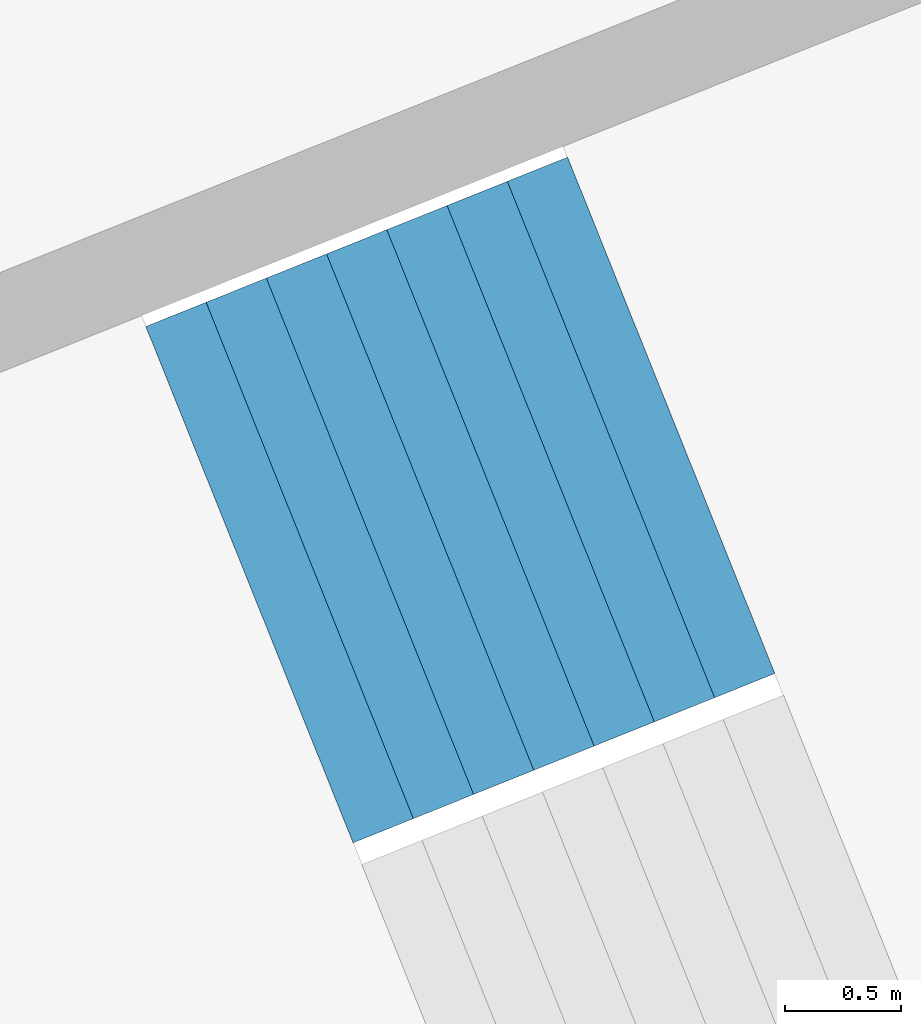
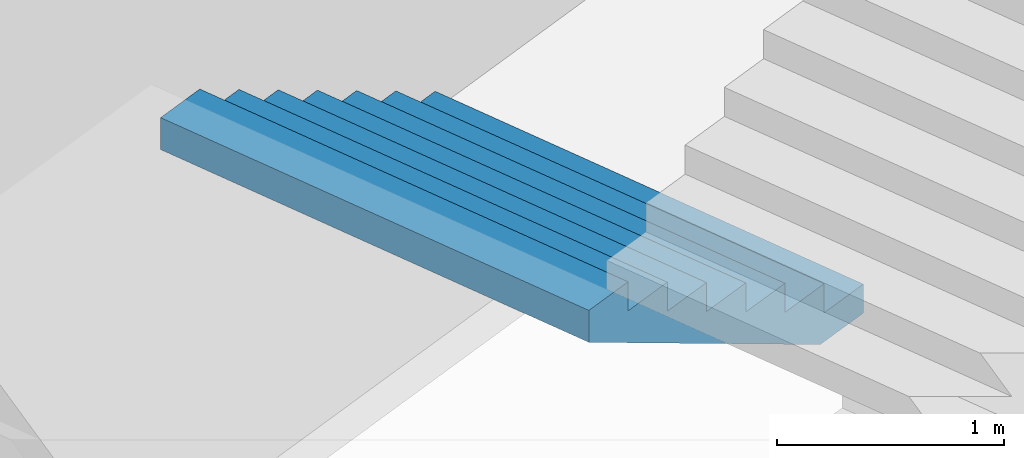
# One storey, part 67 of 73: 1 stair flight, 1 element without a shape of its own.
"""IFC4 building model written with IfcOpenShell, lengths in metres."""

from ifc_helpers import new_model, si_unit, direction, frame, origin, place, context, subcontext, project, spatial, triangles, material, type_object, element, aggregate, save


model = new_model("IFC4")

# Units and contexts
model_context = context("Model", 3, precision=1e-05, world=origin(), true_north=direction((0.0, 1.0)))
body_context = subcontext(model_context, "Body", "Model", "MODEL_VIEW")
ifc_project = project(units=[si_unit("LENGTHUNIT", "METRE"), si_unit("AREAUNIT", "SQUARE_METRE"), si_unit("VOLUMEUNIT", "CUBIC_METRE"), si_unit("PLANEANGLEUNIT", "RADIAN"), si_unit("MASSUNIT", "GRAM", prefix="KILO")], contexts=[model_context])

# Site, building, storey
site_placement = place(None, origin())
site = spatial("IfcSite", under=ifc_project, at=site_placement, CompositionType="ELEMENT")
building_placement = place(site_placement, origin())
building = spatial("IfcBuilding", under=site, at=building_placement, Name="Lantaw Convention Tower", CompositionType="ELEMENT")
storey_placement = place(building_placement, frame((0.0, 0.0, 27.0)))
storey = spatial("IfcBuildingStorey", under=building, at=storey_placement, Name="L04", CompositionType="ELEMENT", Elevation=27.0)

# Stair, stair flight
ifc_material = material(Name="Concrete C35/45", Category="concrete")
stair_type = type_object("IfcStairType", Name="Exit stair 2400 riser 156.25 in 4 flights", PredefinedType="HALF_TURN_STAIR", material=ifc_material)
stair_placement = place(storey_placement, origin())
stair = element("IfcStair", 1, at=stair_placement, inside=storey, type_object=stair_type, Name="Podium exit stair P2 L04", PredefinedType="HALF_TURN_STAIR")
stair_flight_type = type_object("IfcStairFlightType", Name="Stair flight 2400 riser 156.25", PredefinedType="STRAIGHT", material=ifc_material)
stair_flight_placement = place(storey_placement, frame((37.618408203125, 16.448486328125, 1.25), z_axis=(0.0, 0.0, 1.0), x_axis=(-0.928015168305, -0.372542410198, 0.0)))
stair_flight = element("IfcStairFlight", 2, at=stair_flight_placement, type_object=stair_flight_type, Name="P2 flight 2", NumberOfRisers=8, NumberOfTreads=7, PredefinedType="STRAIGHT", RiserHeight=0.15625, TreadLength=0.28, context=body_context, shape_type="Tessellation", body=[
    triangles([(0.0, 1.199951171875, 0.0), (0.0, 1.199951171875, 0.15625), (0.28, 1.199951171875, 0.0), (0.28, 1.199951171875, 0.15625), (0.28, 1.199951171875, 0.3125), (0.3076200632058044, 1.199951171875, 0.0), (0.3076200632058044, 1.199951171875, 0.3125), (0.56, 1.199951171875, 0.14083701830033238), (0.56, 1.199951171875, 0.3125), (0.56, 1.199951171875, 0.46875), (0.8400000000000001, 1.199951171875, 0.29708701830033235), (0.8400000000000001, 1.199951171875, 0.46875), (0.8400000000000001, 1.199951171875, 0.625), (1.12, 1.199951171875, 0.45333701830033235), (1.12, 1.199951171875, 0.625), (1.12, 1.199951171875, 0.78125), (1.4000000000000001, 1.199951171875, 0.6095870183003324), (1.4000000000000001, 1.199951171875, 0.78125), (1.4000000000000001, 1.199951171875, 0.9375), (1.6800000000000002, 1.199951171875, 0.7658370183003324), (1.6800000000000002, 1.199951171875, 0.9375), (1.6800000000000002, 1.199951171875, 1.09375), (1.9600000000000002, 1.199951171875, 0.9220870183003324), (1.9600000000000002, 1.199951171875, 1.09375), (0.0, -1.199951171875, 0.0), (0.0, -1.199951171875, 0.15625), (0.28, -1.199951171875, 0.0), (0.28, -1.199951171875, 0.15625), (0.28, -1.199951171875, 0.3125), (0.3076200632058044, -1.199951171875, 0.0), (0.3076200632058044, -1.199951171875, 0.3125), (0.56, -1.199951171875, 0.14083701830033238), (0.56, -1.199951171875, 0.3125), (0.56, -1.199951171875, 0.46875), (0.8400000000000001, -1.199951171875, 0.29708701830033235), (0.8400000000000001, -1.199951171875, 0.46875), (0.8400000000000001, -1.199951171875, 0.625), (1.12, -1.199951171875, 0.45333701830033235), (1.12, -1.199951171875, 0.625), (1.12, -1.199951171875, 0.78125), (1.4000000000000001, -1.199951171875, 0.6095870183003324), (1.4000000000000001, -1.199951171875, 0.78125), (1.4000000000000001, -1.199951171875, 0.9375), (1.6800000000000002, -1.199951171875, 0.7658370183003324), (1.6800000000000002, -1.199951171875, 0.9375), (1.6800000000000002, -1.199951171875, 1.09375), (1.9600000000000002, -1.199951171875, 0.9220870183003324), (1.9600000000000002, -1.199951171875, 1.09375), (0.0, 0.239990234375, 0.15625), (0.0, 0.239990234375, 0.0), (0.0, 0.1919921875, 0.15625), (0.0, 0.1919921875, 0.0), (0.0, 0.143994140625, 0.15625), (0.0, 0.143994140625, 0.0), (0.0, 0.09599609375, 0.15625), (0.0, 0.09599609375, 0.0), (0.0, 0.047998046875, 0.15625), (0.0, 0.047998046875, 0.0), (0.0, 0.0, 0.15625), (0.0, 0.0, 0.0), (0.0, -0.047998046875, 0.15625), (0.0, -0.047998046875, 0.0), (0.0, -0.09599609375, 0.15625), (0.0, -0.09599609375, 0.0), (0.0, -0.143994140625, 0.15625), (0.0, -0.143994140625, 0.0), (0.0, -0.1919921875, 0.15625), (0.0, -0.1919921875, 0.0), (0.0, -0.239990234375, 0.15625), (0.0, -0.239990234375, 0.0), (0.28, 0.239990234375, 0.3125), (0.28, 0.239990234375, 0.15625), (0.28, 0.1919921875, 0.3125), (0.28, 0.1919921875, 0.15625), (0.28, 0.143994140625, 0.3125), (0.28, 0.143994140625, 0.15625), (0.28, 0.09599609375, 0.3125), (0.28, 0.09599609375, 0.15625), (0.28, 0.047998046875, 0.3125), (0.28, 0.047998046875, 0.15625), (0.28, 0.0, 0.3125), (0.28, 0.0, 0.15625), (0.28, -0.047998046875, 0.3125), (0.28, -0.047998046875, 0.15625), (0.28, -0.09599609375, 0.3125), (0.28, -0.09599609375, 0.15625), (0.28, -0.143994140625, 0.3125), (0.28, -0.143994140625, 0.15625), (0.28, -0.1919921875, 0.3125), (0.28, -0.1919921875, 0.15625), (0.28, -0.239990234375, 0.3125), (0.28, -0.239990234375, 0.15625), (0.56, 0.239990234375, 0.46875), (0.56, 0.239990234375, 0.3125), (0.56, 0.1919921875, 0.46875), (0.56, 0.1919921875, 0.3125), (0.56, 0.143994140625, 0.46875), (0.56, 0.143994140625, 0.3125), (0.56, 0.09599609375, 0.46875), (0.56, 0.09599609375, 0.3125), (0.56, 0.047998046875, 0.46875), (0.56, 0.047998046875, 0.3125), (0.56, 0.0, 0.46875), (0.56, 0.0, 0.3125), (0.56, -0.047998046875, 0.46875), (0.56, -0.047998046875, 0.3125), (0.56, -0.09599609375, 0.46875), (0.56, -0.09599609375, 0.3125), (0.56, -0.143994140625, 0.46875), (0.56, -0.143994140625, 0.3125), (0.56, -0.1919921875, 0.46875), (0.56, -0.1919921875, 0.3125), (0.56, -0.239990234375, 0.46875), (0.56, -0.239990234375, 0.3125), (0.8400000000000001, 0.239990234375, 0.625), (0.8400000000000001, 0.239990234375, 0.46875), (0.8400000000000001, 0.1919921875, 0.625), (0.8400000000000001, 0.1919921875, 0.46875), (0.8400000000000001, 0.143994140625, 0.625), (0.8400000000000001, 0.143994140625, 0.46875), (0.8400000000000001, 0.09599609375, 0.625), (0.8400000000000001, 0.09599609375, 0.46875), (0.8400000000000001, 0.047998046875, 0.625), (0.8400000000000001, 0.047998046875, 0.46875), (0.8400000000000001, 0.0, 0.625), (0.8400000000000001, 0.0, 0.46875), (0.8400000000000001, -0.047998046875, 0.625), (0.8400000000000001, -0.047998046875, 0.46875), (0.8400000000000001, -0.09599609375, 0.625), (0.8400000000000001, -0.09599609375, 0.46875), (0.8400000000000001, -0.143994140625, 0.625), (0.8400000000000001, -0.143994140625, 0.46875), (0.8400000000000001, -0.1919921875, 0.625), (0.8400000000000001, -0.1919921875, 0.46875), (0.8400000000000001, -0.239990234375, 0.625), (0.8400000000000001, -0.239990234375, 0.46875), (1.12, 0.239990234375, 0.78125), (1.12, 0.239990234375, 0.625), (1.12, 0.1919921875, 0.78125), (1.12, 0.1919921875, 0.625), (1.12, 0.143994140625, 0.78125), (1.12, 0.143994140625, 0.625), (1.12, 0.09599609375, 0.78125), (1.12, 0.09599609375, 0.625), (1.12, 0.047998046875, 0.78125), (1.12, 0.047998046875, 0.625), (1.12, 0.0, 0.78125), (1.12, 0.0, 0.625), (1.12, -0.047998046875, 0.78125), (1.12, -0.047998046875, 0.625), (1.12, -0.09599609375, 0.78125), (1.12, -0.09599609375, 0.625), (1.12, -0.143994140625, 0.78125), (1.12, -0.143994140625, 0.625), (1.12, -0.1919921875, 0.78125), (1.12, -0.1919921875, 0.625), (1.12, -0.239990234375, 0.78125), (1.12, -0.239990234375, 0.625), (1.4000000000000001, 0.239990234375, 0.9375), (1.4000000000000001, 0.239990234375, 0.78125), (1.4000000000000001, 0.1919921875, 0.9375), (1.4000000000000001, 0.1919921875, 0.78125), (1.4000000000000001, 0.143994140625, 0.9375), (1.4000000000000001, 0.143994140625, 0.78125), (1.4000000000000001, 0.09599609375, 0.9375), (1.4000000000000001, 0.09599609375, 0.78125), (1.4000000000000001, 0.047998046875, 0.9375), (1.4000000000000001, 0.047998046875, 0.78125), (1.4000000000000001, 0.0, 0.9375), (1.4000000000000001, 0.0, 0.78125), (1.4000000000000001, -0.047998046875, 0.9375), (1.4000000000000001, -0.047998046875, 0.78125), (1.4000000000000001, -0.09599609375, 0.9375), (1.4000000000000001, -0.09599609375, 0.78125), (1.4000000000000001, -0.143994140625, 0.9375), (1.4000000000000001, -0.143994140625, 0.78125), (1.4000000000000001, -0.1919921875, 0.9375), (1.4000000000000001, -0.1919921875, 0.78125), (1.4000000000000001, -0.239990234375, 0.9375), (1.4000000000000001, -0.239990234375, 0.78125), (1.6800000000000002, 0.239990234375, 1.09375), (1.6800000000000002, 0.239990234375, 0.9375), (1.6800000000000002, 0.1919921875, 1.09375), (1.6800000000000002, 0.1919921875, 0.9375), (1.6800000000000002, 0.143994140625, 1.09375), (1.6800000000000002, 0.143994140625, 0.9375), (1.6800000000000002, 0.09599609375, 1.09375), (1.6800000000000002, 0.09599609375, 0.9375), (1.6800000000000002, 0.047998046875, 1.09375), (1.6800000000000002, 0.047998046875, 0.9375), (1.6800000000000002, 0.0, 1.09375), (1.6800000000000002, 0.0, 0.9375), (1.6800000000000002, -0.047998046875, 1.09375), (1.6800000000000002, -0.047998046875, 0.9375), (1.6800000000000002, -0.09599609375, 1.09375), (1.6800000000000002, -0.09599609375, 0.9375), (1.6800000000000002, -0.143994140625, 1.09375), (1.6800000000000002, -0.143994140625, 0.9375), (1.6800000000000002, -0.1919921875, 1.09375), (1.6800000000000002, -0.1919921875, 0.9375), (1.6800000000000002, -0.239990234375, 1.09375), (1.6800000000000002, -0.239990234375, 0.9375), (0.3076200632058044, 0.239990234375, 0.3125), (0.3076200632058044, 0.1919921875, 0.3125), (0.3076200632058044, 0.143994140625, 0.3125), (0.3076200632058044, 0.09599609375, 0.3125), (0.3076200632058044, 0.047998046875, 0.3125), (0.3076200632058044, 0.0, 0.3125), (0.3076200632058044, -0.047998046875, 0.3125), (0.3076200632058044, -0.09599609375, 0.3125), (0.3076200632058044, -0.143994140625, 0.3125), (0.3076200632058044, -0.1919921875, 0.3125), (0.3076200632058044, -0.239990234375, 0.3125), (1.9600000000000002, 0.239990234375, 1.09375), (1.9600000000000002, 0.1919921875, 1.09375), (1.9600000000000002, 0.143994140625, 1.09375), (1.9600000000000002, 0.09599609375, 1.09375), (1.9600000000000002, 0.047998046875, 1.09375), (1.9600000000000002, 0.0, 1.09375), (1.9600000000000002, -0.047998046875, 1.09375), (1.9600000000000002, -0.09599609375, 1.09375), (1.9600000000000002, -0.143994140625, 1.09375), (1.9600000000000002, -0.1919921875, 1.09375), (1.9600000000000002, -0.239990234375, 1.09375), (1.9600000000000002, 0.239990234375, 0.9220870183003324), (1.9600000000000002, 0.1919921875, 0.9220870183003324), (1.9600000000000002, 0.143994140625, 0.9220870183003324), (1.9600000000000002, 0.09599609375, 0.9220870183003324), (1.9600000000000002, 0.047998046875, 0.9220870183003324), (1.9600000000000002, 0.0, 0.9220870183003324), (1.9600000000000002, -0.047998046875, 0.9220870183003324), (1.9600000000000002, -0.09599609375, 0.9220870183003324), (1.9600000000000002, -0.143994140625, 0.9220870183003324), (1.9600000000000002, -0.1919921875, 0.9220870183003324), (1.9600000000000002, -0.239990234375, 0.9220870183003324), (1.6800000000000002, 0.239990234375, 0.7658370183003324), (1.6800000000000002, 0.1919921875, 0.7658370183003324), (1.6800000000000002, 0.143994140625, 0.7658370183003324), (1.6800000000000002, 0.09599609375, 0.7658370183003324), (1.6800000000000002, 0.047998046875, 0.7658370183003324), (1.6800000000000002, 0.0, 0.7658370183003324), (1.6800000000000002, -0.047998046875, 0.7658370183003324), (1.6800000000000002, -0.09599609375, 0.7658370183003324), (1.6800000000000002, -0.143994140625, 0.7658370183003324), (1.6800000000000002, -0.1919921875, 0.7658370183003324), (1.6800000000000002, -0.239990234375, 0.7658370183003324), (1.4000000000000001, 0.239990234375, 0.6095870183003324), (1.4000000000000001, 0.1919921875, 0.6095870183003324), (1.4000000000000001, 0.143994140625, 0.6095870183003324), (1.4000000000000001, 0.09599609375, 0.6095870183003324), (1.4000000000000001, 0.047998046875, 0.6095870183003324), (1.4000000000000001, 0.0, 0.6095870183003324), (1.4000000000000001, -0.047998046875, 0.6095870183003324), (1.4000000000000001, -0.09599609375, 0.6095870183003324), (1.4000000000000001, -0.143994140625, 0.6095870183003324), (1.4000000000000001, -0.1919921875, 0.6095870183003324), (1.4000000000000001, -0.239990234375, 0.6095870183003324), (1.12, 0.239990234375, 0.45333701830033235), (1.12, 0.1919921875, 0.45333701830033235), (1.12, 0.143994140625, 0.45333701830033235), (1.12, 0.09599609375, 0.45333701830033235), (1.12, 0.047998046875, 0.45333701830033235), (1.12, 0.0, 0.45333701830033235), (1.12, -0.047998046875, 0.45333701830033235), (1.12, -0.09599609375, 0.45333701830033235), (1.12, -0.143994140625, 0.45333701830033235), (1.12, -0.1919921875, 0.45333701830033235), (1.12, -0.239990234375, 0.45333701830033235), (0.8400000000000001, 0.239990234375, 0.29708701830033235), (0.8400000000000001, 0.1919921875, 0.29708701830033235), (0.8400000000000001, 0.143994140625, 0.29708701830033235), (0.8400000000000001, 0.09599609375, 0.29708701830033235), (0.8400000000000001, 0.047998046875, 0.29708701830033235), (0.8400000000000001, 0.0, 0.29708701830033235), (0.8400000000000001, -0.047998046875, 0.29708701830033235), (0.8400000000000001, -0.09599609375, 0.29708701830033235), (0.8400000000000001, -0.143994140625, 0.29708701830033235), (0.8400000000000001, -0.1919921875, 0.29708701830033235), (0.8400000000000001, -0.239990234375, 0.29708701830033235), (0.56, 0.239990234375, 0.14083701830033238), (0.56, 0.1919921875, 0.14083701830033238), (0.56, 0.143994140625, 0.14083701830033238), (0.56, 0.09599609375, 0.14083701830033238), (0.56, 0.047998046875, 0.14083701830033238), (0.56, 0.0, 0.14083701830033238), (0.56, -0.047998046875, 0.14083701830033238), (0.56, -0.09599609375, 0.14083701830033238), (0.56, -0.143994140625, 0.14083701830033238), (0.56, -0.1919921875, 0.14083701830033238), (0.56, -0.239990234375, 0.14083701830033238), (0.3076200632058044, 0.239990234375, 0.0), (0.3076200632058044, 0.1919921875, 0.0), (0.3076200632058044, 0.143994140625, 0.0), (0.3076200632058044, 0.09599609375, 0.0), (0.3076200632058044, 0.047998046875, 0.0), (0.3076200632058044, 0.0, 0.0), (0.3076200632058044, -0.047998046875, 0.0), (0.3076200632058044, -0.09599609375, 0.0), (0.3076200632058044, -0.143994140625, 0.0), (0.3076200632058044, -0.1919921875, 0.0), (0.3076200632058044, -0.239990234375, 0.0), (0.28, 0.239990234375, 0.0), (0.28, 0.1919921875, 0.0), (0.28, 0.143994140625, 0.0), (0.28, 0.09599609375, 0.0), (0.28, 0.047998046875, 0.0), (0.28, 0.0, 0.0), (0.28, -0.047998046875, 0.0), (0.28, -0.09599609375, 0.0), (0.28, -0.143994140625, 0.0), (0.28, -0.1919921875, 0.0), (0.28, -0.239990234375, 0.0)], [[1, 4, 3], [1, 2, 4], [3, 4, 6], [4, 7, 6], [4, 5, 7], [6, 9, 8], [6, 7, 9], [8, 9, 11], [9, 12, 11], [9, 10, 12], [11, 12, 14], [12, 15, 14], [12, 13, 15], [14, 15, 17], [15, 18, 17], [15, 16, 18], [17, 18, 20], [18, 21, 20], [18, 19, 21], [20, 21, 23], [21, 24, 23], [21, 22, 24], [25, 27, 28], [25, 28, 26], [27, 30, 28], [28, 30, 31], [28, 31, 29], [30, 32, 33], [30, 33, 31], [32, 35, 33], [33, 35, 36], [33, 36, 34], [35, 38, 36], [36, 38, 39], [36, 39, 37], [38, 41, 39], [39, 41, 42], [39, 42, 40], [41, 44, 42], [42, 44, 45], [42, 45, 43], [44, 47, 45], [45, 47, 48], [45, 48, 46], [1, 49, 2], [1, 50, 49], [50, 51, 49], [50, 52, 51], [52, 53, 51], [52, 54, 53], [54, 55, 53], [54, 56, 55], [56, 57, 55], [56, 58, 57], [58, 59, 57], [58, 60, 59], [60, 61, 59], [60, 62, 61], [62, 63, 61], [62, 64, 63], [64, 65, 63], [64, 66, 65], [66, 67, 65], [66, 68, 67], [68, 69, 67], [68, 70, 69], [70, 26, 69], [70, 25, 26], [4, 71, 5], [4, 72, 71], [72, 73, 71], [72, 74, 73], [74, 75, 73], [74, 76, 75], [76, 77, 75], [76, 78, 77], [78, 79, 77], [78, 80, 79], [80, 81, 79], [80, 82, 81], [82, 83, 81], [82, 84, 83], [84, 85, 83], [84, 86, 85], [86, 87, 85], [86, 88, 87], [88, 89, 87], [88, 90, 89], [90, 91, 89], [90, 92, 91], [92, 29, 91], [92, 28, 29], [9, 93, 10], [9, 94, 93], [94, 95, 93], [94, 96, 95], [96, 97, 95], [96, 98, 97], [98, 99, 97], [98, 100, 99], [100, 101, 99], [100, 102, 101], [102, 103, 101], [102, 104, 103], [104, 105, 103], [104, 106, 105], [106, 107, 105], [106, 108, 107], [108, 109, 107], [108, 110, 109], [110, 111, 109], [110, 112, 111], [112, 113, 111], [112, 114, 113], [114, 34, 113], [114, 33, 34], [12, 115, 13], [12, 116, 115], [116, 117, 115], [116, 118, 117], [118, 119, 117], [118, 120, 119], [120, 121, 119], [120, 122, 121], [122, 123, 121], [122, 124, 123], [124, 125, 123], [124, 126, 125], [126, 127, 125], [126, 128, 127], [128, 129, 127], [128, 130, 129], [130, 131, 129], [130, 132, 131], [132, 133, 131], [132, 134, 133], [134, 135, 133], [134, 136, 135], [136, 37, 135], [136, 36, 37], [15, 137, 16], [15, 138, 137], [138, 139, 137], [138, 140, 139], [140, 141, 139], [140, 142, 141], [142, 143, 141], [142, 144, 143], [144, 145, 143], [144, 146, 145], [146, 147, 145], [146, 148, 147], [148, 149, 147], [148, 150, 149], [150, 151, 149], [150, 152, 151], [152, 153, 151], [152, 154, 153], [154, 155, 153], [154, 156, 155], [156, 157, 155], [156, 158, 157], [158, 40, 157], [158, 39, 40], [18, 159, 19], [18, 160, 159], [160, 161, 159], [160, 162, 161], [162, 163, 161], [162, 164, 163], [164, 165, 163], [164, 166, 165], [166, 167, 165], [166, 168, 167], [168, 169, 167], [168, 170, 169], [170, 171, 169], [170, 172, 171], [172, 173, 171], [172, 174, 173], [174, 175, 173], [174, 176, 175], [176, 177, 175], [176, 178, 177], [178, 179, 177], [178, 180, 179], [180, 43, 179], [180, 42, 43], [21, 181, 22], [21, 182, 181], [182, 183, 181], [182, 184, 183], [184, 185, 183], [184, 186, 185], [186, 187, 185], [186, 188, 187], [188, 189, 187], [188, 190, 189], [190, 191, 189], [190, 192, 191], [192, 193, 191], [192, 194, 193], [194, 195, 193], [194, 196, 195], [196, 197, 195], [196, 198, 197], [198, 199, 197], [198, 200, 199], [200, 201, 199], [200, 202, 201], [202, 46, 201], [202, 45, 46], [2, 72, 4], [2, 49, 72], [49, 74, 72], [49, 51, 74], [51, 76, 74], [51, 53, 76], [53, 78, 76], [53, 55, 78], [55, 80, 78], [55, 57, 80], [57, 82, 80], [57, 59, 82], [59, 84, 82], [59, 61, 84], [61, 86, 84], [61, 63, 86], [63, 88, 86], [63, 65, 88], [65, 90, 88], [65, 67, 90], [67, 92, 90], [67, 69, 92], [69, 28, 92], [69, 26, 28], [5, 203, 7], [5, 71, 203], [71, 204, 203], [71, 73, 204], [73, 205, 204], [73, 75, 205], [75, 206, 205], [75, 77, 206], [77, 207, 206], [77, 79, 207], [79, 208, 207], [79, 81, 208], [81, 209, 208], [81, 83, 209], [83, 210, 209], [83, 85, 210], [85, 211, 210], [85, 87, 211], [87, 212, 211], [87, 89, 212], [89, 213, 212], [89, 91, 213], [91, 31, 213], [91, 29, 31], [7, 94, 9], [7, 203, 94], [203, 96, 94], [203, 204, 96], [204, 98, 96], [204, 205, 98], [205, 100, 98], [205, 206, 100], [206, 102, 100], [206, 207, 102], [207, 104, 102], [207, 208, 104], [208, 106, 104], [208, 209, 106], [209, 108, 106], [209, 210, 108], [210, 110, 108], [210, 211, 110], [211, 112, 110], [211, 212, 112], [212, 114, 112], [212, 213, 114], [213, 33, 114], [213, 31, 33], [10, 116, 12], [10, 93, 116], [93, 118, 116], [93, 95, 118], [95, 120, 118], [95, 97, 120], [97, 122, 120], [97, 99, 122], [99, 124, 122], [99, 101, 124], [101, 126, 124], [101, 103, 126], [103, 128, 126], [103, 105, 128], [105, 130, 128], [105, 107, 130], [107, 132, 130], [107, 109, 132], [109, 134, 132], [109, 111, 134], [111, 136, 134], [111, 113, 136], [113, 36, 136], [113, 34, 36], [13, 138, 15], [13, 115, 138], [115, 140, 138], [115, 117, 140], [117, 142, 140], [117, 119, 142], [119, 144, 142], [119, 121, 144], [121, 146, 144], [121, 123, 146], [123, 148, 146], [123, 125, 148], [125, 150, 148], [125, 127, 150], [127, 152, 150], [127, 129, 152], [129, 154, 152], [129, 131, 154], [131, 156, 154], [131, 133, 156], [133, 158, 156], [133, 135, 158], [135, 39, 158], [135, 37, 39], [16, 160, 18], [16, 137, 160], [137, 162, 160], [137, 139, 162], [139, 164, 162], [139, 141, 164], [141, 166, 164], [141, 143, 166], [143, 168, 166], [143, 145, 168], [145, 170, 168], [145, 147, 170], [147, 172, 170], [147, 149, 172], [149, 174, 172], [149, 151, 174], [151, 176, 174], [151, 153, 176], [153, 178, 176], [153, 155, 178], [155, 180, 178], [155, 157, 180], [157, 42, 180], [157, 40, 42], [19, 182, 21], [19, 159, 182], [159, 184, 182], [159, 161, 184], [161, 186, 184], [161, 163, 186], [163, 188, 186], [163, 165, 188], [165, 190, 188], [165, 167, 190], [167, 192, 190], [167, 169, 192], [169, 194, 192], [169, 171, 194], [171, 196, 194], [171, 173, 196], [173, 198, 196], [173, 175, 198], [175, 200, 198], [175, 177, 200], [177, 202, 200], [177, 179, 202], [179, 45, 202], [179, 43, 45], [22, 214, 24], [22, 181, 214], [181, 215, 214], [181, 183, 215], [183, 216, 215], [183, 185, 216], [185, 217, 216], [185, 187, 217], [187, 218, 217], [187, 189, 218], [189, 219, 218], [189, 191, 219], [191, 220, 219], [191, 193, 220], [193, 221, 220], [193, 195, 221], [195, 222, 221], [195, 197, 222], [197, 223, 222], [197, 199, 223], [199, 224, 223], [199, 201, 224], [201, 48, 224], [201, 46, 48], [24, 225, 23], [24, 214, 225], [214, 226, 225], [214, 215, 226], [215, 227, 226], [215, 216, 227], [216, 228, 227], [216, 217, 228], [217, 229, 228], [217, 218, 229], [218, 230, 229], [218, 219, 230], [219, 231, 230], [219, 220, 231], [220, 232, 231], [220, 221, 232], [221, 233, 232], [221, 222, 233], [222, 234, 233], [222, 223, 234], [223, 235, 234], [223, 224, 235], [224, 47, 235], [224, 48, 47], [23, 236, 20], [23, 225, 236], [225, 237, 236], [225, 226, 237], [226, 238, 237], [226, 227, 238], [227, 239, 238], [227, 228, 239], [228, 240, 239], [228, 229, 240], [229, 241, 240], [229, 230, 241], [230, 242, 241], [230, 231, 242], [231, 243, 242], [231, 232, 243], [232, 244, 243], [232, 233, 244], [233, 245, 244], [233, 234, 245], [234, 246, 245], [234, 235, 246], [235, 44, 246], [235, 47, 44], [20, 247, 17], [20, 236, 247], [236, 248, 247], [236, 237, 248], [237, 249, 248], [237, 238, 249], [238, 250, 249], [238, 239, 250], [239, 251, 250], [239, 240, 251], [240, 252, 251], [240, 241, 252], [241, 253, 252], [241, 242, 253], [242, 254, 253], [242, 243, 254], [243, 255, 254], [243, 244, 255], [244, 256, 255], [244, 245, 256], [245, 257, 256], [245, 246, 257], [246, 41, 257], [246, 44, 41], [17, 258, 14], [17, 247, 258], [247, 259, 258], [247, 248, 259], [248, 260, 259], [248, 249, 260], [249, 261, 260], [249, 250, 261], [250, 262, 261], [250, 251, 262], [251, 263, 262], [251, 252, 263], [252, 264, 263], [252, 253, 264], [253, 265, 264], [253, 254, 265], [254, 266, 265], [254, 255, 266], [255, 267, 266], [255, 256, 267], [256, 268, 267], [256, 257, 268], [257, 38, 268], [257, 41, 38], [14, 269, 11], [14, 258, 269], [258, 270, 269], [258, 259, 270], [259, 271, 270], [259, 260, 271], [260, 272, 271], [260, 261, 272], [261, 273, 272], [261, 262, 273], [262, 274, 273], [262, 263, 274], [263, 275, 274], [263, 264, 275], [264, 276, 275], [264, 265, 276], [265, 277, 276], [265, 266, 277], [266, 278, 277], [266, 267, 278], [267, 279, 278], [267, 268, 279], [268, 35, 279], [268, 38, 35], [11, 280, 8], [11, 269, 280], [269, 281, 280], [269, 270, 281], [270, 282, 281], [270, 271, 282], [271, 283, 282], [271, 272, 283], [272, 284, 283], [272, 273, 284], [273, 285, 284], [273, 274, 285], [274, 286, 285], [274, 275, 286], [275, 287, 286], [275, 276, 287], [276, 288, 287], [276, 277, 288], [277, 289, 288], [277, 278, 289], [278, 290, 289], [278, 279, 290], [279, 32, 290], [279, 35, 32], [8, 291, 6], [8, 280, 291], [280, 292, 291], [280, 281, 292], [281, 293, 292], [281, 282, 293], [282, 294, 293], [282, 283, 294], [283, 295, 294], [283, 284, 295], [284, 296, 295], [284, 285, 296], [285, 297, 296], [285, 286, 297], [286, 298, 297], [286, 287, 298], [287, 299, 298], [287, 288, 299], [288, 300, 299], [288, 289, 300], [289, 301, 300], [289, 290, 301], [290, 30, 301], [290, 32, 30], [6, 302, 3], [6, 291, 302], [291, 303, 302], [291, 292, 303], [292, 304, 303], [292, 293, 304], [293, 305, 304], [293, 294, 305], [294, 306, 305], [294, 295, 306], [295, 307, 306], [295, 296, 307], [296, 308, 307], [296, 297, 308], [297, 309, 308], [297, 298, 309], [298, 310, 309], [298, 299, 310], [299, 311, 310], [299, 300, 311], [300, 312, 311], [300, 301, 312], [301, 27, 312], [301, 30, 27], [3, 50, 1], [3, 302, 50], [302, 52, 50], [302, 303, 52], [303, 54, 52], [303, 304, 54], [304, 56, 54], [304, 305, 56], [305, 58, 56], [305, 306, 58], [306, 60, 58], [306, 307, 60], [307, 62, 60], [307, 308, 62], [308, 64, 62], [308, 309, 64], [309, 66, 64], [309, 310, 66], [310, 68, 66], [310, 311, 68], [311, 70, 68], [311, 312, 70], [312, 25, 70], [312, 27, 25]], closed=True),
])
aggregate(stair, [stair_flight])

save(model, "model.ifc")
